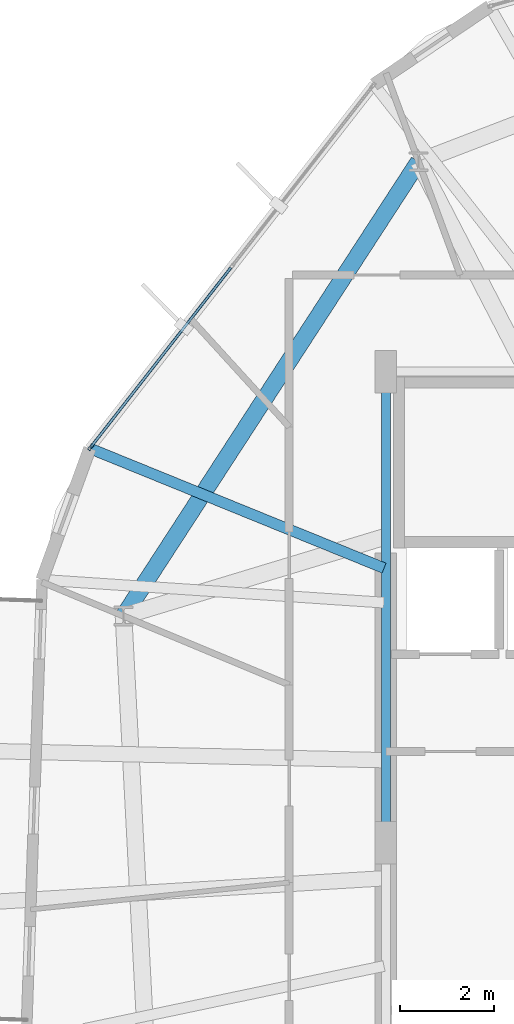
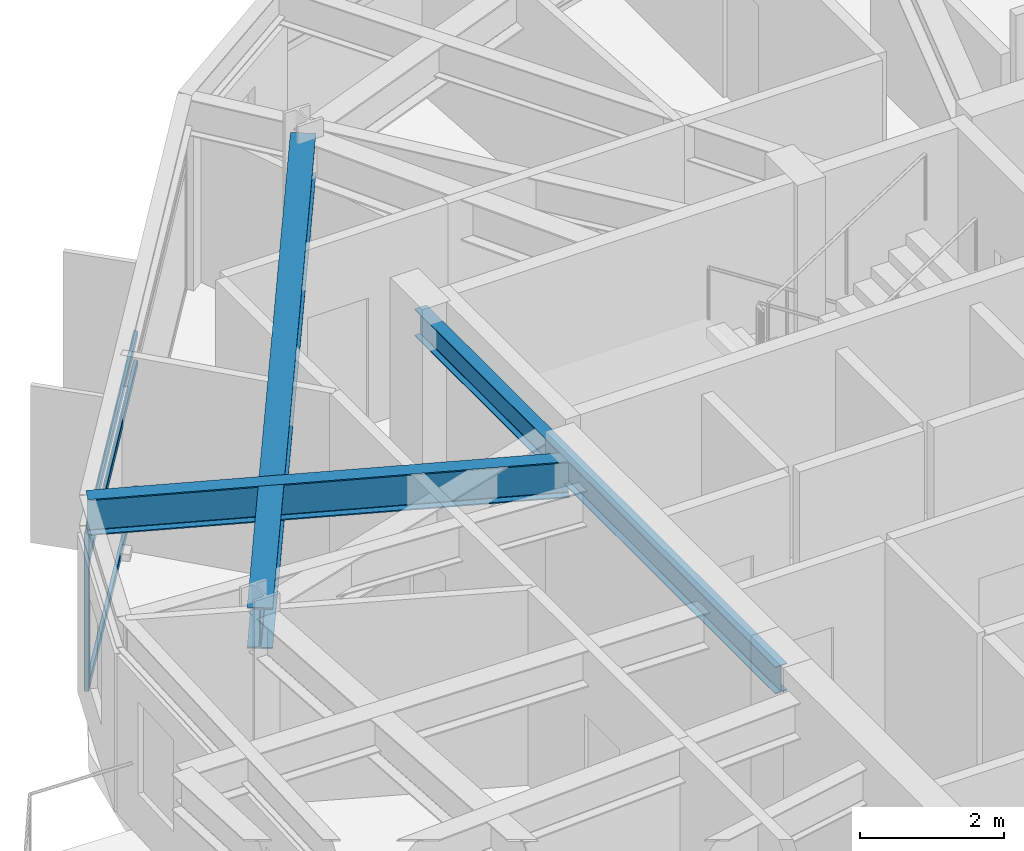
# One storey, part 7 of 30: 4 members, 3 beams, 1 element without a shape of its own.
"""IFC4 building model written with IfcOpenShell, lengths in metres."""

from ifc_helpers import new_model, si_unit, direction, frame, origin, origin_2d, place, context, subcontext, project, spatial, hollow_rectangle, i_section, extrude, material, layer, layer_set, material_profile, profile_set, type_object, element, aggregate, save


model = new_model("IFC4")

# Units and contexts
model_context = context("Model", 3, precision=1e-05, world=origin(), true_north=direction((0.0, 1.0)))
body_context = subcontext(model_context, "Body", "Model", "MODEL_VIEW")
ifc_project = project(units=[si_unit("LENGTHUNIT", "METRE"), si_unit("AREAUNIT", "SQUARE_METRE"), si_unit("VOLUMEUNIT", "CUBIC_METRE"), si_unit("PLANEANGLEUNIT", "RADIAN"), si_unit("MASSUNIT", "GRAM", prefix="KILO")], contexts=[model_context])

# Site, building, storey
site_placement = place(None, origin())
site = spatial("IfcSite", under=ifc_project, at=site_placement, CompositionType="ELEMENT")
building_placement = place(site_placement, origin())
building = spatial("IfcBuilding", under=site, at=building_placement, Name="Soratama Intermodal Tower", CompositionType="ELEMENT")
storey_placement = place(building_placement, frame((0.0, 0.0, 223.0)))
storey = spatial("IfcBuildingStorey", under=building, at=storey_placement, Name="L56", CompositionType="ELEMENT", Elevation=223.0)

# Beams
ifc_material_1 = material(Name="Structural steel ASTM A992 Grade 50", Category="steel")
ifc_material_profile_1 = material_profile(ifc_material_1, i_section(OverallWidth=0.19091796875, OverallDepth=0.4599609375, WebThickness=0.010009765625, FlangeThickness=0.01611328125, FilletRadius=0.010986328125, at=origin_2d()), Name="W18X55")
ifc_profile_set_1 = profile_set([ifc_material_profile_1], Name="Structural steel ASTM A992 Grade 50")
beam_type_1 = type_object("IfcBeamType", Name="BM-FLR-W18X55", PredefinedType="BEAM", material=ifc_profile_set_1)
beam_1_placement = place(storey_placement, frame((32.60009765625, 35.0, 3.070068359375), z_axis=(0.0, -1.0, 0.0), x_axis=(1.0, 0.0, 0.0)))
element("IfcBeam", 1, at=beam_1_placement, inside=storey, type_object=beam_type_1, Name="BM-L56-CRING-08", PredefinedType="BEAM", context=body_context, shape_type="SweptSolid", body=[
    extrude(i_section(OverallWidth=0.19091796875, OverallDepth=0.4599609375, WebThickness=0.010009765625, FlangeThickness=0.01611328125, FilletRadius=0.010986328125, at=origin_2d()), origin(), (0.0, 0.0, 1.0), 10.0),
])
ifc_material_2 = material(Name="Structural steel ASTM A992 Grade 50", Category="steel")
ifc_material_profile_2 = material_profile(ifc_material_2, i_section(OverallWidth=0.35498046875, OverallDepth=0.695068359375, WebThickness=0.015380859375, FlangeThickness=0.02490234375, FilletRadius=0.01611328125, at=origin_2d()), Name="W27X146")
ifc_profile_set_2 = profile_set([ifc_material_profile_2], Name="Structural steel ASTM A992 Grade 50")
beam_type_2 = type_object("IfcBeamType", Name="BM-RING-W27X146", PredefinedType="BEAM", material=ifc_profile_set_2)
beam_2_placement = place(storey_placement, frame((33.294921875, 39.455078125, 2.952392578125), z_axis=(-0.544637453764, -0.83867159482, 0.0), x_axis=(0.83867159482, -0.544637453764, 0.0)))
element("IfcBeam", 2, at=beam_2_placement, inside=storey, type_object=beam_type_2, Name="BM-L56-RING-04", PredefinedType="BEAM", context=body_context, shape_type="SweptSolid", body=[
    extrude(i_section(OverallWidth=0.35498046875, OverallDepth=0.695068359375, WebThickness=0.015380859375, FlangeThickness=0.02490234375, FilletRadius=0.01611328125, at=origin_2d()), origin(), (0.0, 0.0, 1.0), 11.49560546875),
])
ifc_material_3 = material(Name="Structural steel ASTM A992 Grade 50", Category="steel")
ifc_material_profile_3 = material_profile(ifc_material_3, i_section(OverallWidth=0.22900390625, OverallDepth=0.612060546875, WebThickness=0.011962890625, FlangeThickness=0.01953125, FilletRadius=0.012939453125, at=origin_2d()), Name="W24X84")
ifc_profile_set_3 = profile_set([ifc_material_profile_3], Name="Structural steel ASTM A992 Grade 50")
beam_type_3 = type_object("IfcBeamType", Name="BM-TIE-W24X84", PredefinedType="BEAM", material=ifc_profile_set_3)
beam_3_placement = place(storey_placement, frame((32.56298828125, 30.830078125, 2.993896484375), z_axis=(-0.926257694076, 0.376890811992, 0.0), x_axis=(-0.376890811992, -0.926257694076, 0.0)))
element("IfcBeam", 3, at=beam_3_placement, inside=storey, type_object=beam_type_3, Name="BM-L56-TIE1-03", PredefinedType="BEAM", context=body_context, shape_type="SweptSolid", body=[
    extrude(i_section(OverallWidth=0.22900390625, OverallDepth=0.612060546875, WebThickness=0.011962890625, FlangeThickness=0.01953125, FilletRadius=0.012939453125, at=origin_2d()), origin(), (0.0, 0.0, 1.0), 6.741943359375),
])

# Curtain wall, members
ifc_material_4 = material(Name="Double-glazed aluminium curtain wall", Category="aluminium")
ifc_layer = layer(ifc_material_4, 0.159912109375)
ifc_layer_set = layer_set([ifc_layer], Name="Double-glazed aluminium curtain wall")
curtain_wall_type = type_object("IfcCurtainWallType", Name="CW-SYS-5", PredefinedType="NOTDEFINED", material=ifc_layer_set)
curtain_wall_placement = place(storey_placement, origin())
curtain_wall = element("IfcCurtainWall", 4, at=curtain_wall_placement, inside=storey, type_object=curtain_wall_type, Name="L56 Faceted Curtain Wall F03", PredefinedType="NOTDEFINED")
ifc_material_5 = material(Name="Anodised aluminium AA 6063-T6", Category="aluminium")
ifc_material_profile_4 = material_profile(ifc_material_5, hollow_rectangle(XDim=0.06494140625, YDim=0.139892578125, WallThickness=0.0048828125, InnerFilletRadius=0.0048828125, OuterFilletRadius=0.010009765625, at=origin_2d()), Name="CWM140X65X5")
ifc_profile_set_4 = profile_set([ifc_material_profile_4], Name="Anodised aluminium AA 6063-T6")
member_type_1 = type_object("IfcMemberType", Name="MT-CWM-5", PredefinedType="MULLION", material=ifc_profile_set_4)
member_1_placement = place(storey_placement, frame((26.336181640625, 33.394287109375, 0.0), z_axis=(0.0, 0.0, 1.0), x_axis=(0.788224252464, -0.615388111542, 0.0)))
member_1 = element("IfcMember", 5, at=member_1_placement, type_object=member_type_1, Name="CW-5 mullion 3", PredefinedType="MULLION", context=body_context, shape_type="SweptSolid", body=[
    extrude(hollow_rectangle(XDim=0.06494140625, YDim=0.139892578125, WallThickness=0.0048828125, InnerFilletRadius=0.0048828125, OuterFilletRadius=0.010009765625, at=origin_2d()), origin(), (0.0, 0.0, 1.0), 2.678955078125),
])
ifc_material_6 = material(Name="Anodised aluminium AA 6063-T6", Category="aluminium")
ifc_material_profile_5 = material_profile(ifc_material_6, hollow_rectangle(XDim=0.06005859375, YDim=0.1298828125, WallThickness=0.0048828125, InnerFilletRadius=0.0048828125, OuterFilletRadius=0.010009765625, at=origin_2d()), Name="CWT130X60X5")
ifc_profile_set_5 = profile_set([ifc_material_profile_5], Name="Anodised aluminium AA 6063-T6")
member_type_2 = type_object("IfcMemberType", Name="TT-CWT-2", PredefinedType="USERDEFINED", material=ifc_profile_set_5)
member_2_placement = place(storey_placement, frame((29.31396484375, 37.20849609375, 0.030029296875), z_axis=(-0.615370117377, -0.788238300668, 0.0), x_axis=(0.788238300668, -0.615370117377, 0.0)))
member_2 = element("IfcMember", 6, at=member_2_placement, type_object=member_type_2, Name="CW-5 transom 2.1", ObjectType="TRANSOM", PredefinedType="USERDEFINED", context=body_context, shape_type="SweptSolid", body=[
    extrude(hollow_rectangle(XDim=0.06005859375, YDim=0.1298828125, WallThickness=0.0048828125, InnerFilletRadius=0.0048828125, OuterFilletRadius=0.010009765625, at=origin_2d()), origin(), (0.0, 0.0, 1.0), 4.808837890625),
])
member_3_placement = place(storey_placement, frame((29.31396484375, 37.20849609375, 2.14990234375), z_axis=(-0.615370117377, -0.788238300668, 0.0), x_axis=(0.788238300668, -0.615370117377, 0.0)))
member_3 = element("IfcMember", 7, at=member_3_placement, type_object=member_type_2, Name="CW-5 transom 2.2", ObjectType="TRANSOM", PredefinedType="USERDEFINED", context=body_context, shape_type="SweptSolid", body=[
    extrude(hollow_rectangle(XDim=0.06005859375, YDim=0.1298828125, WallThickness=0.0048828125, InnerFilletRadius=0.0048828125, OuterFilletRadius=0.010009765625, at=origin_2d()), origin(), (0.0, 0.0, 1.0), 4.808837890625),
])
member_4_placement = place(storey_placement, frame((29.31396484375, 37.20849609375, 2.64892578125), z_axis=(-0.615370117377, -0.788238300668, 0.0), x_axis=(0.788238300668, -0.615370117377, 0.0)))
member_4 = element("IfcMember", 8, at=member_4_placement, type_object=member_type_2, Name="CW-5 transom 2.3", ObjectType="TRANSOM", PredefinedType="USERDEFINED", context=body_context, shape_type="SweptSolid", body=[
    extrude(hollow_rectangle(XDim=0.06005859375, YDim=0.1298828125, WallThickness=0.0048828125, InnerFilletRadius=0.0048828125, OuterFilletRadius=0.010009765625, at=origin_2d()), origin(), (0.0, 0.0, 1.0), 4.808837890625),
])
aggregate(curtain_wall, [member_1, member_2, member_3, member_4])

save(model, "model.ifc")
